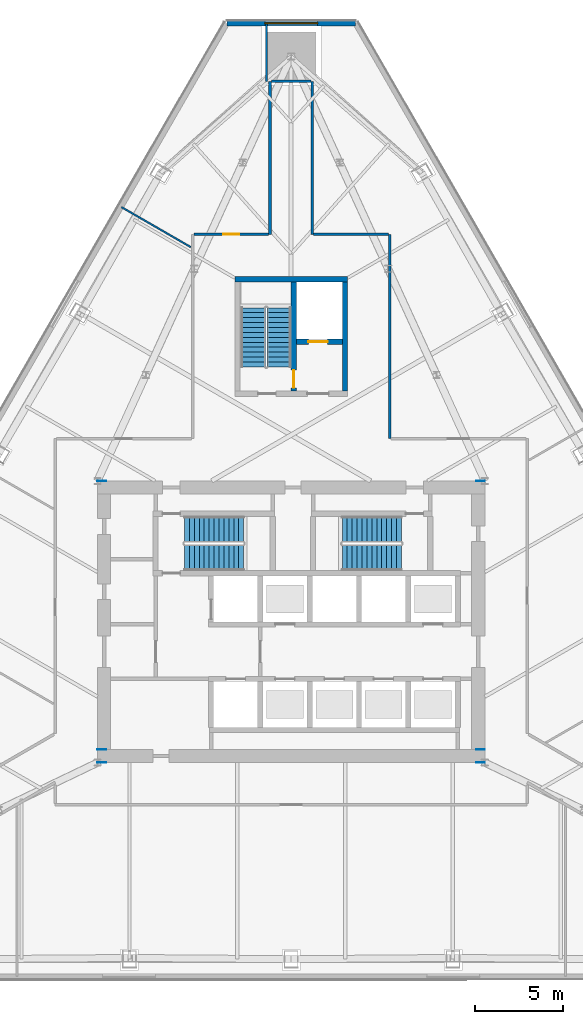
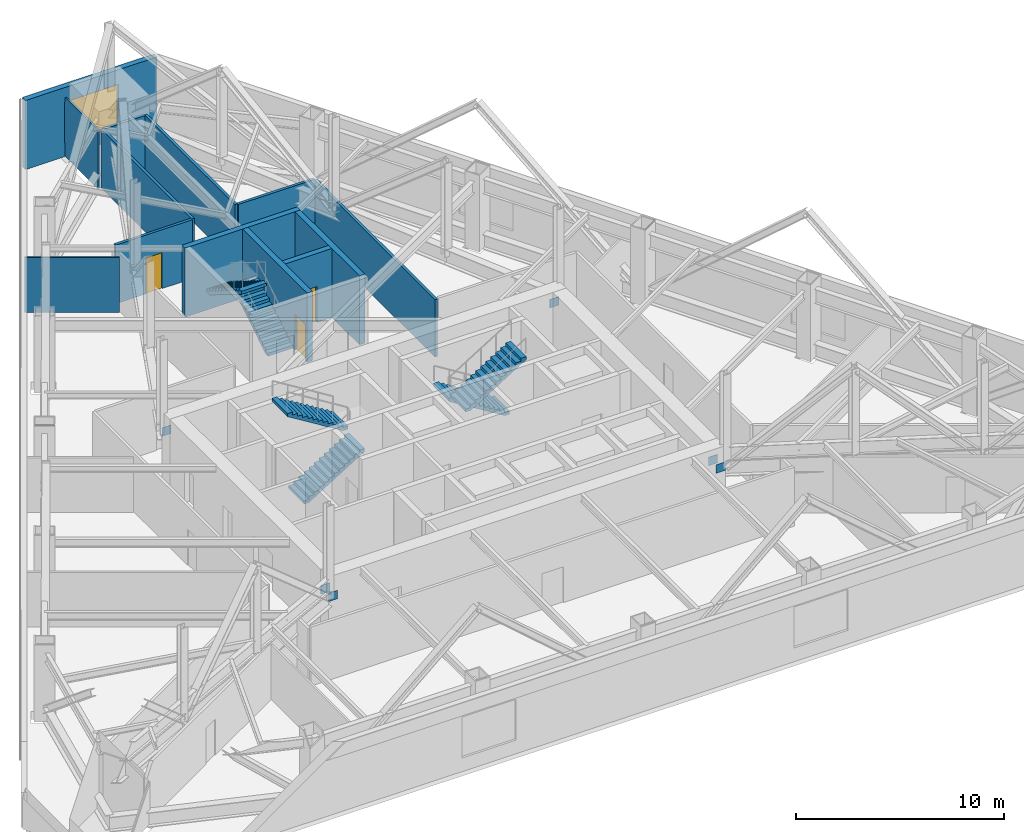
# One storey, part 11 of 13: 13 walls, 6 discrete accessories, 6 stair flights, 3 doors, 1 window, 4 openings, 3 elements without a shape of their own.
"""IFC4 building model written with IfcOpenShell, lengths in metres."""

from ifc_helpers import new_model, si_unit, direction, frame, frame_2d, origin, origin_2d, place, context, subcontext, project, spatial, polyline, rectangle, outline, extrude, material, layer, layer_set, type_object, element, fill, aggregate, save


model = new_model("IFC4")

# Units and contexts
model_context = context("Model", 3, precision=1e-05, world=origin(), true_north=direction((0.0, 1.0)))
body_context = subcontext(model_context, "Body", "Model", "MODEL_VIEW")
ifc_project = project(units=[si_unit("LENGTHUNIT", "METRE"), si_unit("AREAUNIT", "SQUARE_METRE"), si_unit("VOLUMEUNIT", "CUBIC_METRE"), si_unit("PLANEANGLEUNIT", "RADIAN"), si_unit("MASSUNIT", "GRAM", prefix="KILO")], contexts=[model_context])

# Site, building, storey
site_placement = place(None, origin())
site = spatial("IfcSite", under=ifc_project, at=site_placement, CompositionType="ELEMENT")
building_placement = place(site_placement, origin())
building = spatial("IfcBuilding", under=site, at=building_placement, Name="Firuza Gate Tower and Library", CompositionType="ELEMENT")
storey_placement = place(building_placement, frame((0.0, 0.0, 146.800048828125)))
storey = spatial("IfcBuildingStorey", under=building, at=storey_placement, Name="L33", CompositionType="ELEMENT", Elevation=146.800048828125)

# Walls
ifc_material_1 = material(Name="Concrete C80/95", Category="concrete")
ifc_layer_1 = layer(ifc_material_1, 0.300048828125)
ifc_layer_set_1 = layer_set([ifc_layer_1], Name="Core wall 300 C80/95")
wall_type_1 = type_object("IfcWallType", Name="Core wall 300 C80/95", PredefinedType="SHEAR", material=ifc_layer_set_1)
wall_1_placement = place(storey_placement, frame((71.800048828125, 94.449951171875, 0.0), z_axis=(0.0, 0.0, 1.0), x_axis=(1.0, 0.0, 0.0)))
element("IfcWall", 1, at=wall_1_placement, inside=storey, type_object=wall_type_1, Name="Core wall L33 28", PredefinedType="SHEAR", context=body_context, shape_type="SweptSolid", body=[
    extrude(rectangle(XDim=6.39990234375, YDim=0.300048828125, at=frame_2d((3.199951171875, 0.0))), origin(), (0.0, 0.0, 1.0), 4.050048828125),
])
wall_2_placement = place(storey_placement, frame((78.050048828125, 88.10009765625, 0.0), z_axis=(0.0, 0.0, 1.0), x_axis=(0.0, 1.0, 0.0)))
element("IfcWall", 2, at=wall_2_placement, inside=storey, type_object=wall_type_1, Name="Core wall L33 30", PredefinedType="SHEAR", context=body_context, shape_type="SweptSolid", body=[
    extrude(rectangle(XDim=6.199951171875, YDim=0.300048828125, at=frame_2d((3.10009765625, 0.0))), origin(), (0.0, 0.0, 1.0), 4.050048828125),
])

# Wall, opening, door
wall_3_placement = place(storey_placement, frame((75.300048828125, 90.89990234375, 0.0), z_axis=(0.0, 0.0, 1.0), x_axis=(1.0, 0.0, 0.0)))
wall_3 = element("IfcWall", 3, at=wall_3_placement, inside=storey, type_object=wall_type_1, Name="Core wall L33 31", PredefinedType="SHEAR", context=body_context, shape_type="SweptSolid", body=[
    extrude(rectangle(XDim=2.599853515625, YDim=0.300048828125, at=frame_2d((1.2998046875, 0.0))), origin(), (0.0, 0.0, 1.0), 4.050048828125),
])
opening_1_placement = place(wall_3_placement, frame((0.675048828125, 0.0, 0.0)))
opening_1 = element("IfcOpeningElement", 4, at=opening_1_placement, cuts=wall_3, Name="Opening LD-SV1-L33", PredefinedType="OPENING", context=body_context, shape_type="SweptSolid", body=[
    extrude(rectangle(XDim=1.10009765625, YDim=2.10009765625, at=frame_2d((0.550048828125, 1.050048828125))), frame((0.0, 0.16015625, 0.0), z_axis=(0.0, -1.0, 0.0), x_axis=(1.0, 0.0, 0.0)), (0.0, 0.0, 1.0), 0.320068359375),
])
ifc_material_2 = material(Name="Stainless steel", Category="steel")
door_type_1 = type_object("IfcDoorType", Name="Lift landing door 1100x2100", OperationType="DOUBLE_DOOR_SLIDING", PredefinedType="DOOR", material=ifc_material_2)
door_1_placement = place(opening_1_placement, origin())
door_1 = element("IfcDoor", 5, at=door_1_placement, inside=storey, type_object=door_type_1, Name="Landing door SV1 L33", OperationType="DOUBLE_DOOR_SLIDING", OverallHeight=2.10009765625, OverallWidth=1.10009765625, PredefinedType="DOOR", context=body_context, shape_type="SweptSolid", body=[
    extrude(rectangle(XDim=1.10009765625, YDim=2.10009765625, at=frame_2d((0.550048828125, 1.050048828125))), frame((0.0, 0.02490234375, 0.0), z_axis=(0.0, -1.0, 0.0), x_axis=(1.0, 0.0, 0.0)), (0.0, 0.0, 1.0), 0.050048828125),
])
fill(opening_1, door_1)

wall_4_placement = place(storey_placement, frame((75.14990234375, 88.10009765625, 0.0), z_axis=(0.0, 0.0, 1.0), x_axis=(0.0, 1.0, 0.0)))
wall_4 = element("IfcWall", 6, at=wall_4_placement, inside=storey, type_object=wall_type_1, Name="Core wall L33 32", PredefinedType="SHEAR", context=body_context, shape_type="SweptSolid", body=[
    extrude(rectangle(XDim=6.199951171875, YDim=0.300048828125, at=frame_2d((3.10009765625, 0.0))), origin(), (0.0, 0.0, 1.0), 4.050048828125),
])
opening_2_placement = place(wall_4_placement, frame((0.18505859375, 0.0, 0.0)))
opening_2 = element("IfcOpeningElement", 7, at=opening_2_placement, cuts=wall_4, Name="Opening L33-K16", PredefinedType="OPENING", context=body_context, shape_type="SweptSolid", body=[
    extrude(rectangle(XDim=1.0, YDim=2.10009765625, at=frame_2d((0.5, 1.050048828125))), frame((0.0, 0.16015625, 0.0), z_axis=(0.0, -1.0, 0.0), x_axis=(1.0, 0.0, 0.0)), (0.0, 0.0, 1.0), 0.320068359375),
])
ifc_material_3 = material(Name="Steel", Category="steel")
door_type_2 = type_object("IfcDoorType", Name="Fire door 1000x2100 FD90", OperationType="NOTDEFINED", PredefinedType="DOOR", material=ifc_material_3)
door_2_placement = place(opening_2_placement, origin())
door_2 = element("IfcDoor", 8, at=door_2_placement, inside=storey, type_object=door_type_2, Name="Door L33-K16", OperationType="SINGLE_SWING_LEFT", OverallHeight=2.10009765625, OverallWidth=1.0, PredefinedType="DOOR", context=body_context, shape_type="SweptSolid", body=[
    extrude(rectangle(XDim=1.0, YDim=2.10009765625, at=frame_2d((0.5, 1.050048828125))), frame((0.0, 0.02490234375, 0.0), z_axis=(0.0, -1.0, 0.0), x_axis=(1.0, 0.0, 0.0)), (0.0, 0.0, 1.0), 0.050048828125),
])
fill(opening_2, door_2)

ifc_material_4 = material(Name="Gypsum board partition")
ifc_layer_2 = layer(ifc_material_4, 0.14990234375)
ifc_layer_set_2 = layer_set([ifc_layer_2], Name="Corridor wall 150 double board on steel studs")
wall_type_2 = type_object("IfcWallType", Name="Corridor wall 150 double board on steel studs", PredefinedType="PARTITIONING", material=ifc_layer_set_2)
wall_5_placement = place(storey_placement, frame((69.4755859375, 97.0, 0.0), z_axis=(0.0, 0.0, 1.0), x_axis=(1.0, 0.0, 0.0)))
wall_5 = element("IfcWall", 9, at=wall_5_placement, inside=storey, type_object=wall_type_2, Name="f:L33:w003", PredefinedType="PARTITIONING", context=body_context, shape_type="SweptSolid", body=[
    extrude(rectangle(XDim=4.24951171875, YDim=0.14990234375, at=frame_2d((2.124755859375, 0.0))), origin(), (0.0, 0.0, 1.0), 3.449951171875),
])
opening_3_placement = place(wall_5_placement, frame((1.6748046875, 0.0, 0.0)))
opening_3 = element("IfcOpeningElement", 10, at=opening_3_placement, cuts=wall_5, Name="Opening L33-04", PredefinedType="OPENING", context=body_context, shape_type="SweptSolid", body=[
    extrude(rectangle(XDim=0.89990234375, YDim=2.10009765625, at=frame_2d((0.449951171875, 1.050048828125))), frame((0.0, 0.0849609375, 0.0), z_axis=(0.0, -1.0, 0.0), x_axis=(1.0, 0.0, 0.0)), (0.0, 0.0, 1.0), 0.169921875),
])
ifc_material_5 = material(Name="Steel door and timber leaf", Category="steel")
door_type_3 = type_object("IfcDoorType", Name="Fire door 900 x 2100 steel frame, timber leaf", OperationType="NOTDEFINED", PredefinedType="DOOR", material=ifc_material_5)
door_3_placement = place(opening_3_placement, origin())
door_3 = element("IfcDoor", 11, at=door_3_placement, inside=storey, type_object=door_type_3, Name="f:L33:d004", OperationType="SINGLE_SWING_LEFT", OverallHeight=2.10009765625, OverallWidth=0.89990234375, PredefinedType="DOOR", context=body_context, shape_type="SweptSolid", body=[
    extrude(rectangle(XDim=0.89990234375, YDim=2.10009765625, at=frame_2d((0.449951171875, 1.050048828125))), frame((0.0, 0.02490234375, 0.0), z_axis=(0.0, -1.0, 0.0), x_axis=(1.0, 0.0, 0.0)), (0.0, 0.0, 1.0), 0.050048828125),
])
fill(opening_3, door_3)

# Walls
wall_6_placement = place(storey_placement, frame((76.275146484375, 97.0, 0.0), z_axis=(0.0, 0.0, 1.0), x_axis=(1.0, 0.0, 0.0)))
element("IfcWall", 12, at=wall_6_placement, inside=storey, type_object=wall_type_2, Name="f:L33:w004", PredefinedType="PARTITIONING", context=body_context, shape_type="SweptSolid", body=[
    extrude(rectangle(XDim=4.249267578125, YDim=0.14990234375, at=frame_2d((2.12451171875, 0.0))), origin(), (0.0, 0.0, 1.0), 3.449951171875),
])
wall_7_placement = place(storey_placement, frame((73.880615234375, 105.68994140625, 0.0), z_axis=(0.0, 0.0, 1.0), x_axis=(1.0, 0.0, 0.0)))
element("IfcWall", 13, at=wall_7_placement, inside=storey, type_object=wall_type_2, Name="f:L33:w005", PredefinedType="PARTITIONING", context=body_context, shape_type="SweptSolid", body=[
    extrude(rectangle(XDim=2.243896484375, YDim=0.14990234375, at=frame_2d((1.1220703125, 0.0))), origin(), (0.0, 0.0, 1.0), 3.447021484375),
])
wall_8_placement = place(storey_placement, frame((80.60009765625, 85.39990234375, 0.0), z_axis=(0.0, 0.0, 1.0), x_axis=(0.0, 1.0, 0.0)))
element("IfcWall", 14, at=wall_8_placement, inside=storey, type_object=wall_type_2, Name="f:L33:w015", PredefinedType="PARTITIONING", context=body_context, shape_type="SweptSolid", body=[
    extrude(rectangle(XDim=11.599609375, YDim=0.14990234375, at=frame_2d((5.7998046875, 0.0))), origin(), (0.0, 0.0, 1.0), 3.3720703125),
])
wall_9_placement = place(storey_placement, frame((76.199951171875, 97.0, 0.0), z_axis=(0.0, 0.0, 1.0), x_axis=(0.0, 1.0, 0.0)))
element("IfcWall", 15, at=wall_9_placement, inside=storey, type_object=wall_type_2, Name="f:L33:w016", PredefinedType="PARTITIONING", context=body_context, shape_type="SweptSolid", body=[
    extrude(rectangle(XDim=8.68994140625, YDim=0.14990234375, at=frame_2d((4.344970703125, 0.0))), origin(), (0.0, 0.0, 1.0), 3.449951171875),
])
wall_10_placement = place(storey_placement, frame((73.800048828125, 97.0, 0.0), z_axis=(0.0, 0.0, 1.0), x_axis=(0.0, 1.0, 0.0)))
element("IfcWall", 16, at=wall_10_placement, inside=storey, type_object=wall_type_2, Name="f:L33:w017", PredefinedType="PARTITIONING", context=body_context, shape_type="SweptSolid", body=[
    extrude(rectangle(XDim=8.6904296875, YDim=0.14990234375, at=frame_2d((4.34521484375, 0.0))), origin(), (0.0, 0.0, 1.0), 3.449951171875),
])
ifc_material_6 = material(Name="Gypsum board partition")
ifc_layer_3 = layer(ifc_material_6, 0.10009765625)
ifc_layer_set_3 = layer_set([ifc_layer_3], Name="Partition 100 gypsum board on steel studs")
wall_type_3 = type_object("IfcWallType", Name="Partition 100 gypsum board on steel studs", PredefinedType="PARTITIONING", material=ifc_layer_set_3)
wall_11_placement = place(storey_placement, frame((73.60009765625, 105.69091796875, 0.0), z_axis=(0.0, 0.0, 1.0), x_axis=(0.0, 1.0, 0.0)))
element("IfcWall", 17, at=wall_11_placement, inside=storey, type_object=wall_type_3, Name="f:L33:w018", PredefinedType="PARTITIONING", context=body_context, shape_type="SweptSolid", body=[
    extrude(rectangle(XDim=3.257568359375, YDim=0.10009765625, at=frame_2d((1.62890625, 0.0))), origin(), (0.0, 0.0, 1.0), 3.449951171875),
])
wall_12_placement = place(storey_placement, frame((69.299072265625, 96.2724609375, 0.0), z_axis=(0.0, 0.0, 1.0), x_axis=(-0.866008641419, 0.500029032144, 0.0)))
element("IfcWall", 18, at=wall_12_placement, inside=storey, type_object=wall_type_3, Name="f:L33:w024", PredefinedType="PARTITIONING", context=body_context, shape_type="SweptSolid", body=[
    extrude(rectangle(XDim=4.549560546875, YDim=0.10009765625, at=frame_2d((2.27490234375, 0.0))), origin(), (0.0, 0.0, 1.0), 3.21484375),
])

# Wall, opening, window
ifc_material_7 = material(Name="Concrete C40/50", Category="concrete")
ifc_layer_4 = layer(ifc_material_7, 0.300048828125)
ifc_layer_set_4 = layer_set([ifc_layer_4], Name="Plant louvre wall 300")
wall_type_4 = type_object("IfcWallType", Name="Plant louvre wall 300", PredefinedType="SOLIDWALL", material=ifc_layer_set_4)
wall_13_placement = place(storey_placement, frame((78.65185546875, 108.98046875, 0.0), z_axis=(0.0, 0.0, 1.0), x_axis=(-1.0, 0.0, 0.0)))
wall_13 = element("IfcWall", 19, at=wall_13_placement, inside=storey, type_object=wall_type_4, Name="Plant louvre wall 4", PredefinedType="SOLIDWALL", context=body_context, shape_type="SweptSolid", body=[
    extrude(rectangle(XDim=7.3037109375, YDim=0.300048828125, at=frame_2d((3.65185546875, 0.0))), origin(), (0.0, 0.0, 1.0), 4.050048828125),
])
opening_4_placement = place(wall_13_placement, frame((2.15185546875, 0.0, 0.800048828125)))
opening_4 = element("IfcOpeningElement", 20, at=opening_4_placement, cuts=wall_13, Name="Opening WD3-006", PredefinedType="OPENING", context=body_context, shape_type="SweptSolid", body=[
    extrude(rectangle(XDim=3.0, YDim=2.39990234375, at=frame_2d((1.5, 1.199951171875))), frame((0.0, 0.16015625, 0.0), z_axis=(0.0, -1.0, 0.0), x_axis=(1.0, 0.0, 0.0)), (0.0, 0.0, 1.0), 0.320068359375),
])
ifc_material_8 = material(Name="Aluminium 6063-T6", Category="aluminium")
window_type = type_object("IfcWindowType", Name="Plant louvre 3000x2400", PartitioningType="SINGLE_PANEL", PredefinedType="WINDOW", material=ifc_material_8)
window_placement = place(opening_4_placement, origin())
window = element("IfcWindow", 21, at=window_placement, inside=storey, type_object=window_type, Name="e:pwall:L33:3/L0", OverallHeight=2.39990234375, OverallWidth=3.0, PartitioningType="SINGLE_PANEL", PredefinedType="WINDOW", context=body_context, shape_type="SweptSolid", body=[
    extrude(rectangle(XDim=3.0, YDim=2.39990234375, at=frame_2d((1.5, 1.199951171875))), frame((0.0, 0.030029296875, 0.0), z_axis=(0.0, -1.0, 0.0), x_axis=(1.0, 0.0, 0.0)), (0.0, 0.0, 1.0), 0.06005859375),
])
fill(opening_4, window)

# Stair, stair flights
ifc_material_9 = material(Name="Concrete C35/45", Category="concrete")
stair_type_1 = type_object("IfcStairType", Name="Exit stair ST10", PredefinedType="HALF_TURN_STAIR", material=ifc_material_9)
placement = place(storey_placement, origin())
stair_1 = element("IfcStair", 22, at=placement, inside=storey, type_object=stair_type_1, Name="L33 Stair ST3", PredefinedType="HALF_TURN_STAIR")
ifc_material_10 = material(Name="Concrete C35/45", Category="concrete")
stair_flight_type_1 = type_object("IfcStairFlightType", Name="Stair flight 13 risers 173.1 width 1370", PredefinedType="STRAIGHT", material=ifc_material_10)
stair_flight_1_placement = place(storey_placement, frame((74.31494140625, 89.469970703125, 0.0), z_axis=(0.0, 0.0, 1.0), x_axis=(0.0, 1.0, 0.0)))
stair_flight_1 = element("IfcStairFlight", 23, at=stair_flight_1_placement, type_object=stair_flight_type_1, Name="ST3 flight 1", NumberOfRisers=13, NumberOfTreads=12, PredefinedType="STRAIGHT", RiserHeight=0.173076923, TreadLength=0.28, context=body_context, shape_type="SweptSolid", body=[
    extrude(outline(polyline([(0.0, 0.0), (0.0, 0.173095703125), (0.280029296875, 0.173095703125), (0.280029296875, 0.34619140625), (0.56005859375, 0.34619140625), (0.56005859375, 0.519287109375), (0.840087890625, 0.519287109375), (0.840087890625, 0.6923828125), (1.1201171875, 0.6923828125), (1.1201171875, 0.865478515625), (1.39990234375, 0.865478515625), (1.39990234375, 1.03857421875), (1.679931640625, 1.03857421875), (1.679931640625, 1.21142578125), (1.9599609375, 1.21142578125), (1.9599609375, 1.384521484375), (2.239990234375, 1.384521484375), (2.239990234375, 1.5576171875), (2.52001953125, 1.5576171875), (2.52001953125, 1.730712890625), (2.800048828125, 1.730712890625), (2.800048828125, 1.90380859375), (3.080078125, 1.90380859375), (3.080078125, 2.076904296875), (3.360107421875, 2.076904296875), (3.360107421875, 2.25), (3.360107421875, 1.900634765625), (0.28515625, 0.0), (0.0, 0.0)])), frame((0.0, 0.68505859375, 0.0), z_axis=(0.0, -1.0, 0.0), x_axis=(1.0, 0.0, 0.0)), (0.0, 0.0, 1.0), 1.3701171875),
])
stair_flight_2_placement = place(storey_placement, frame((72.844970703125, 92.830078125, 2.25), z_axis=(0.0, 0.0, 1.0), x_axis=(0.0, -1.0, 0.0)))
stair_flight_2 = element("IfcStairFlight", 24, at=stair_flight_2_placement, type_object=stair_flight_type_1, Name="ST3 flight 2", NumberOfRisers=13, NumberOfTreads=12, PredefinedType="STRAIGHT", RiserHeight=0.173076923, TreadLength=0.28, context=body_context, shape_type="SweptSolid", body=[
    extrude(outline(polyline([(0.0, 0.0), (0.0, 0.173095703125), (0.280029296875, 0.173095703125), (0.280029296875, 0.34619140625), (0.56005859375, 0.34619140625), (0.56005859375, 0.519287109375), (0.840087890625, 0.519287109375), (0.840087890625, 0.6923828125), (1.1201171875, 0.6923828125), (1.1201171875, 0.865478515625), (1.39990234375, 0.865478515625), (1.39990234375, 1.03857421875), (1.679931640625, 1.03857421875), (1.679931640625, 1.21142578125), (1.9599609375, 1.21142578125), (1.9599609375, 1.384521484375), (2.239990234375, 1.384521484375), (2.239990234375, 1.5576171875), (2.52001953125, 1.5576171875), (2.52001953125, 1.730712890625), (2.800048828125, 1.730712890625), (2.800048828125, 1.90380859375), (3.080078125, 1.90380859375), (3.080078125, 2.076904296875), (3.360107421875, 2.076904296875), (3.360107421875, 2.25), (3.360107421875, 1.900634765625), (0.28515625, 0.0), (0.0, 0.0)])), frame((0.0, 0.68505859375, 0.0), z_axis=(0.0, -1.0, 0.0), x_axis=(1.0, 0.0, 0.0)), (0.0, 0.0, 1.0), 1.3701171875),
])
aggregate(stair_1, [stair_flight_1, stair_flight_2])

ifc_material_11 = material(Name="Concrete C35/45", Category="concrete")
stair_type_2 = type_object("IfcStairType", Name="Exit stair ST1", PredefinedType="HALF_TURN_STAIR", material=ifc_material_11)
stair_2 = element("IfcStair", 25, at=placement, inside=storey, type_object=stair_type_2, Name="L33 Stair ST1", PredefinedType="HALF_TURN_STAIR")
ifc_material_12 = material(Name="Concrete C35/45", Category="concrete")
stair_flight_type_2 = type_object("IfcStairFlightType", Name="Stair flight 13 risers 173.1 width 1490", PredefinedType="STRAIGHT", material=ifc_material_12)
stair_flight_3_placement = place(storey_placement, frame((68.93994140625, 78.64501953125, 0.0), z_axis=(0.0, 0.0, 1.0), x_axis=(1.0, 0.0, 0.0)))
stair_flight_3 = element("IfcStairFlight", 26, at=stair_flight_3_placement, type_object=stair_flight_type_2, Name="ST1 flight 1", NumberOfRisers=13, NumberOfTreads=12, PredefinedType="STRAIGHT", RiserHeight=0.173076923, TreadLength=0.28, context=body_context, shape_type="SweptSolid", body=[
    extrude(outline(polyline([(0.0, 0.0), (0.0, 0.173095703125), (0.280029296875, 0.173095703125), (0.280029296875, 0.34619140625), (0.56005859375, 0.34619140625), (0.56005859375, 0.519287109375), (0.840087890625, 0.519287109375), (0.840087890625, 0.6923828125), (1.1201171875, 0.6923828125), (1.1201171875, 0.865478515625), (1.39990234375, 0.865478515625), (1.39990234375, 1.03857421875), (1.679931640625, 1.03857421875), (1.679931640625, 1.21142578125), (1.9599609375, 1.21142578125), (1.9599609375, 1.384521484375), (2.239990234375, 1.384521484375), (2.239990234375, 1.5576171875), (2.52001953125, 1.5576171875), (2.52001953125, 1.730712890625), (2.800048828125, 1.730712890625), (2.800048828125, 1.90380859375), (3.080078125, 1.90380859375), (3.080078125, 2.076904296875), (3.360107421875, 2.076904296875), (3.360107421875, 2.25), (3.360107421875, 1.900634765625), (0.28515625, 0.0), (0.0, 0.0)])), frame((0.0, 0.7451171875, 0.0), z_axis=(0.0, -1.0, 0.0), x_axis=(1.0, 0.0, 0.0)), (0.0, 0.0, 1.0), 1.489990234375),
])
stair_flight_4_placement = place(storey_placement, frame((72.300048828125, 80.235107421875, 2.25), z_axis=(0.0, 0.0, 1.0), x_axis=(-1.0, 0.0, 0.0)))
stair_flight_4 = element("IfcStairFlight", 27, at=stair_flight_4_placement, type_object=stair_flight_type_2, Name="ST1 flight 2", NumberOfRisers=13, NumberOfTreads=12, PredefinedType="STRAIGHT", RiserHeight=0.173076923, TreadLength=0.28, context=body_context, shape_type="SweptSolid", body=[
    extrude(outline(polyline([(0.0, 0.0), (0.0, 0.173095703125), (0.280029296875, 0.173095703125), (0.280029296875, 0.34619140625), (0.56005859375, 0.34619140625), (0.56005859375, 0.519287109375), (0.840087890625, 0.519287109375), (0.840087890625, 0.6923828125), (1.1201171875, 0.6923828125), (1.1201171875, 0.865478515625), (1.39990234375, 0.865478515625), (1.39990234375, 1.03857421875), (1.679931640625, 1.03857421875), (1.679931640625, 1.21142578125), (1.9599609375, 1.21142578125), (1.9599609375, 1.384521484375), (2.239990234375, 1.384521484375), (2.239990234375, 1.5576171875), (2.52001953125, 1.5576171875), (2.52001953125, 1.730712890625), (2.800048828125, 1.730712890625), (2.800048828125, 1.90380859375), (3.080078125, 1.90380859375), (3.080078125, 2.076904296875), (3.360107421875, 2.076904296875), (3.360107421875, 2.25), (3.360107421875, 1.900634765625), (0.28515625, 0.0), (0.0, 0.0)])), frame((0.0, 0.7451171875, 0.0), z_axis=(0.0, -1.0, 0.0), x_axis=(1.0, 0.0, 0.0)), (0.0, 0.0, 1.0), 1.489990234375),
])
aggregate(stair_2, [stair_flight_3, stair_flight_4])

stair_3 = element("IfcStair", 28, at=placement, inside=storey, type_object=stair_type_2, Name="L33 Stair ST2", PredefinedType="HALF_TURN_STAIR")
stair_flight_5_placement = place(storey_placement, frame((81.260009765625, 80.235107421875, 0.0), z_axis=(0.0, 0.0, 1.0), x_axis=(-1.0, 0.0, 0.0)))
stair_flight_5 = element("IfcStairFlight", 29, at=stair_flight_5_placement, type_object=stair_flight_type_2, Name="ST2 flight 1", NumberOfRisers=13, NumberOfTreads=12, PredefinedType="STRAIGHT", RiserHeight=0.173076923, TreadLength=0.28, context=body_context, shape_type="SweptSolid", body=[
    extrude(outline(polyline([(0.0, 0.0), (0.0, 0.173095703125), (0.280029296875, 0.173095703125), (0.280029296875, 0.34619140625), (0.56005859375, 0.34619140625), (0.56005859375, 0.519287109375), (0.840087890625, 0.519287109375), (0.840087890625, 0.6923828125), (1.1201171875, 0.6923828125), (1.1201171875, 0.865478515625), (1.39990234375, 0.865478515625), (1.39990234375, 1.03857421875), (1.679931640625, 1.03857421875), (1.679931640625, 1.21142578125), (1.9599609375, 1.21142578125), (1.9599609375, 1.384521484375), (2.239990234375, 1.384521484375), (2.239990234375, 1.5576171875), (2.52001953125, 1.5576171875), (2.52001953125, 1.730712890625), (2.800048828125, 1.730712890625), (2.800048828125, 1.90380859375), (3.080078125, 1.90380859375), (3.080078125, 2.076904296875), (3.360107421875, 2.076904296875), (3.360107421875, 2.25), (3.360107421875, 1.900634765625), (0.28515625, 0.0), (0.0, 0.0)])), frame((0.0, 0.7451171875, 0.0), z_axis=(0.0, -1.0, 0.0), x_axis=(1.0, 0.0, 0.0)), (0.0, 0.0, 1.0), 1.489990234375),
])
stair_flight_6_placement = place(storey_placement, frame((77.89990234375, 78.64501953125, 2.25), z_axis=(0.0, 0.0, 1.0), x_axis=(1.0, 0.0, 0.0)))
stair_flight_6 = element("IfcStairFlight", 30, at=stair_flight_6_placement, type_object=stair_flight_type_2, Name="ST2 flight 2", NumberOfRisers=13, NumberOfTreads=12, PredefinedType="STRAIGHT", RiserHeight=0.173076923, TreadLength=0.28, context=body_context, shape_type="SweptSolid", body=[
    extrude(outline(polyline([(0.0, 0.0), (0.0, 0.173095703125), (0.280029296875, 0.173095703125), (0.280029296875, 0.34619140625), (0.56005859375, 0.34619140625), (0.56005859375, 0.519287109375), (0.840087890625, 0.519287109375), (0.840087890625, 0.6923828125), (1.1201171875, 0.6923828125), (1.1201171875, 0.865478515625), (1.39990234375, 0.865478515625), (1.39990234375, 1.03857421875), (1.679931640625, 1.03857421875), (1.679931640625, 1.21142578125), (1.9599609375, 1.21142578125), (1.9599609375, 1.384521484375), (2.239990234375, 1.384521484375), (2.239990234375, 1.5576171875), (2.52001953125, 1.5576171875), (2.52001953125, 1.730712890625), (2.800048828125, 1.730712890625), (2.800048828125, 1.90380859375), (3.080078125, 1.90380859375), (3.080078125, 2.076904296875), (3.360107421875, 2.076904296875), (3.360107421875, 2.25), (3.360107421875, 1.900634765625), (0.28515625, 0.0), (0.0, 0.0)])), frame((0.0, 0.7451171875, 0.0), z_axis=(0.0, -1.0, 0.0), x_axis=(1.0, 0.0, 0.0)), (0.0, 0.0, 1.0), 1.489990234375),
])
aggregate(stair_3, [stair_flight_5, stair_flight_6])

# Discrete accessories
ifc_material_13 = material(Name="Steel S355", Category="steel")
ifc_layer_5 = layer(ifc_material_13, 0.02490234375)
ifc_layer_set_5 = layer_set([ifc_layer_5], Name="Cast-in anchor plate 500x500x25 Steel S355")
discrete_accessory_type = type_object("IfcDiscreteAccessoryType", Name="Cast-in anchor plate 500x500x25 Steel S355", PredefinedType="BRACKET", material=ifc_layer_set_5)
for number, where, z_axis, x_axis, name in (
    (31, (64.25, 82.987548828125, 2.60595703125), (0.0, 0.0, 1.0), (1.0, 0.0, 0.0), "Cast-in anchor plate"),
    (32, (85.75, 82.987548828125, 2.60595703125), (0.0, 0.0, 1.0), (1.0, 0.0, 0.0), "Cast-in anchor plate"),
    (33, (85.75, 67.012451171875, 2.60595703125), (0.0, 0.0, 1.0), (1.0, 0.0, 0.0), "Cast-in anchor plate"),
    (34, (85.75, 67.737548828125, 2.60595703125), (0.0, 0.0, 1.0), (1.0, 0.0, 0.0), "Cast-in anchor plate"),
    (35, (64.25, 67.012451171875, 2.60595703125), (0.0, 0.0, 1.0), (1.0, 0.0, 0.0), "Cast-in anchor plate"),
    (36, (64.25, 67.737548828125, 2.60595703125), (0.0, 0.0, 1.0), (1.0, 0.0, 0.0), "Cast-in anchor plate"),
):
    element("IfcDiscreteAccessory", number, at=place(storey_placement, frame(where, z_axis=z_axis, x_axis=x_axis)), inside=storey, type_object=discrete_accessory_type, Name=name, PredefinedType="BRACKET", context=body_context, shape_type="SweptSolid", body=[
        extrude(rectangle(XDim=0.5, YDim=0.02490234375, at=origin_2d()), origin(), (0.0, 0.0, 1.0), 0.5),
    ])

save(model, "model.ifc")
